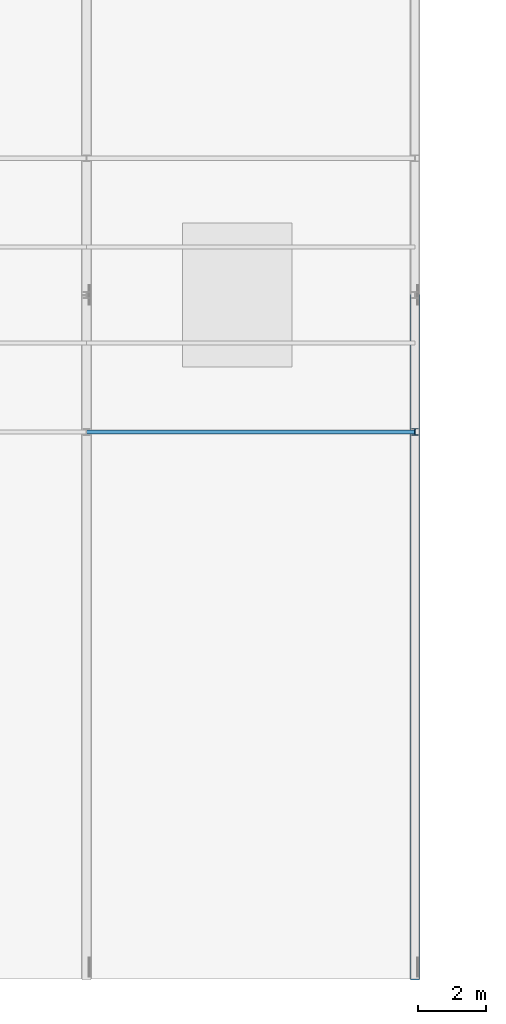
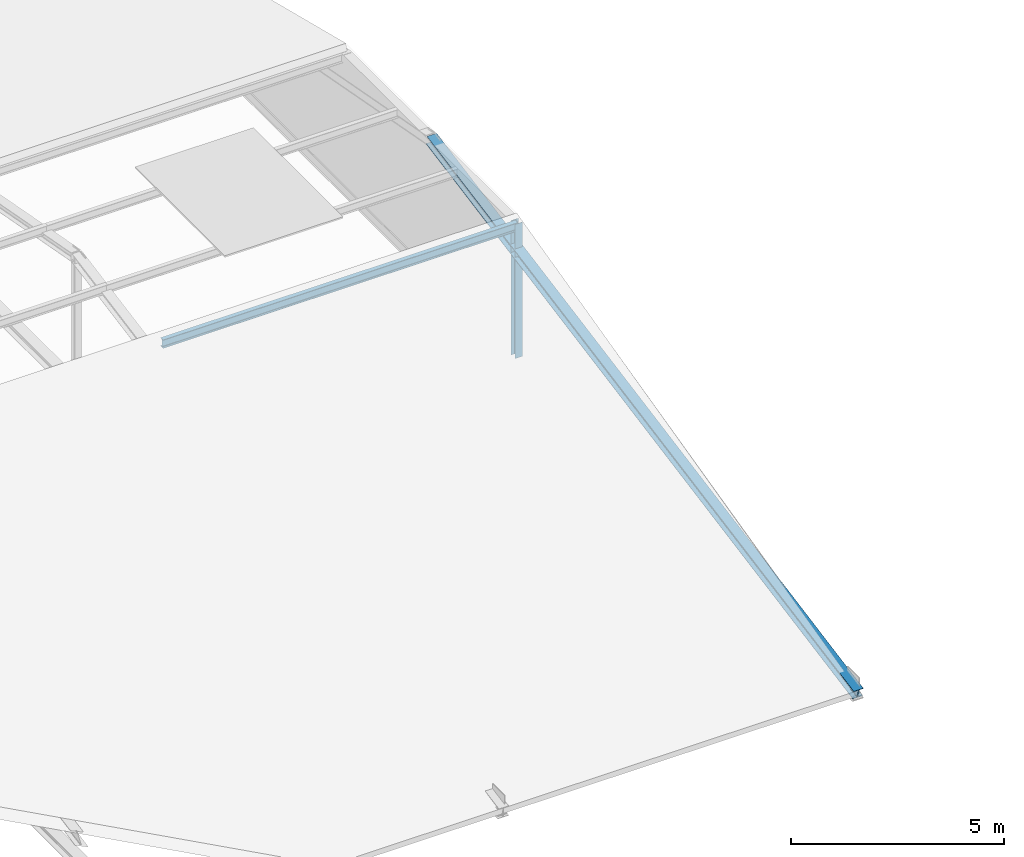
# One storey, part 30 of 73: 2 members, 1 beam.
"""IFC4 building model written with IfcOpenShell, lengths in metres."""

from ifc_helpers import new_model, si_unit, direction, frame, origin, origin_2d, place, context, subcontext, project, spatial, i_section, extrude, material, material_profile, profile_set, type_object, element, save


model = new_model("IFC4")

# Units and contexts
model_context = context("Model", 3, precision=1e-05, world=origin(), true_north=direction((0.0, 1.0)))
body_context = subcontext(model_context, "Body", "Model", "MODEL_VIEW")
ifc_project = project(units=[si_unit("LENGTHUNIT", "METRE"), si_unit("AREAUNIT", "SQUARE_METRE"), si_unit("VOLUMEUNIT", "CUBIC_METRE"), si_unit("PLANEANGLEUNIT", "RADIAN"), si_unit("MASSUNIT", "GRAM", prefix="KILO")], contexts=[model_context])

# Site, building, storey
site_placement = place(None, origin())
site = spatial("IfcSite", under=ifc_project, at=site_placement, CompositionType="ELEMENT")
building_placement = place(site_placement, origin())
building = spatial("IfcBuilding", under=site, at=building_placement, Name="Alderhovde Museum", CompositionType="ELEMENT")
storey_placement = place(building_placement, frame((0.0, 0.0, 17.39990234375)))
storey = spatial("IfcBuildingStorey", under=building, at=storey_placement, Name="L04", CompositionType="ELEMENT", Elevation=17.39990234375)

# Beam
ifc_material_1 = material(Name="Steel S355J2", Category="steel")
ifc_material_profile_1 = material_profile(ifc_material_1, i_section(OverallWidth=0.1201171875, OverallDepth=0.239990234375, WebThickness=0.006103515625, FlangeThickness=0.009765625, FilletRadius=0.014892578125, at=origin_2d()), Name="IPE 240")
ifc_profile_set_1 = profile_set([ifc_material_profile_1], Name="Steel S355J2")
beam_type = type_object("IfcBeamType", Name="BM-IPE240", PredefinedType="BEAM", material=ifc_profile_set_1)
beam_placement = place(storey_placement, frame((105.60009765625, 48.0, 3.840087890625), z_axis=(1.0, 0.0, 0.0), x_axis=(0.0, 1.0, 0.0)))
element("IfcBeam", 1, at=beam_placement, inside=storey, type_object=beam_type, Name="Atrium Ridge Bearer Y=48", PredefinedType="BEAM", context=body_context, shape_type="SweptSolid", body=[
    extrude(i_section(OverallWidth=0.1201171875, OverallDepth=0.239990234375, WebThickness=0.006103515625, FlangeThickness=0.009765625, FilletRadius=0.014892578125, at=origin_2d()), origin(), (0.0, 0.0, 1.0), 9.599853515625),
])

# Members
ifc_material_2 = material(Name="Steel S355J2", Category="steel")
ifc_material_profile_2 = material_profile(ifc_material_2, i_section(OverallWidth=0.260009765625, OverallDepth=0.25, WebThickness=0.007568359375, FlangeThickness=0.012451171875, FilletRadius=0.02392578125, at=origin_2d()), Name="HEA 260")
ifc_profile_set_2 = profile_set([ifc_material_profile_2], Name="Steel S355J2")
member_type_1 = type_object("IfcMemberType", Name="TR-CH-HEA260", PredefinedType="CHORD", material=ifc_profile_set_2)
member_1_placement = place(storey_placement, frame((115.199951171875, 32.0, 0.150146484375), z_axis=(0.0, 0.982872186934, 0.18428853505), x_axis=(-1.0, 0.0, 0.0)))
element("IfcMember", 2, at=member_1_placement, inside=storey, type_object=member_type_1, Name="Atrium Truss X=115.2 South Rafter", PredefinedType="CHORD", context=body_context, shape_type="SweptSolid", body=[
    extrude(i_section(OverallWidth=0.260009765625, OverallDepth=0.25, WebThickness=0.007568359375, FlangeThickness=0.012451171875, FilletRadius=0.02392578125, at=origin_2d()), origin(), (0.0, 0.0, 1.0), 20.3486328125),
])
ifc_material_3 = material(Name="Steel S355J2", Category="steel")
ifc_material_profile_3 = material_profile(ifc_material_3, i_section(OverallWidth=0.199951171875, OverallDepth=0.18994140625, WebThickness=0.006591796875, FlangeThickness=0.010009765625, FilletRadius=0.01806640625, at=origin_2d()), Name="HEA 200")
ifc_profile_set_3 = profile_set([ifc_material_profile_3], Name="Steel S355J2")
member_type_2 = type_object("IfcMemberType", Name="TR-PS-HEA200", PredefinedType="POST", material=ifc_profile_set_3)
member_2_placement = place(storey_placement, frame((115.199951171875, 48.0, 0.1201171875), z_axis=(0.0, 0.0, 1.0), x_axis=(1.0, 0.0, 0.0)))
element("IfcMember", 3, at=member_2_placement, inside=storey, type_object=member_type_2, Name="Atrium Truss X=115.2 Post P1", PredefinedType="POST", context=body_context, shape_type="SweptSolid", body=[
    extrude(i_section(OverallWidth=0.199951171875, OverallDepth=0.18994140625, WebThickness=0.006591796875, FlangeThickness=0.010009765625, FilletRadius=0.01806640625, at=origin_2d()), origin(), (0.0, 0.0, 1.0), 3.840087890625),
])

save(model, "model.ifc")
